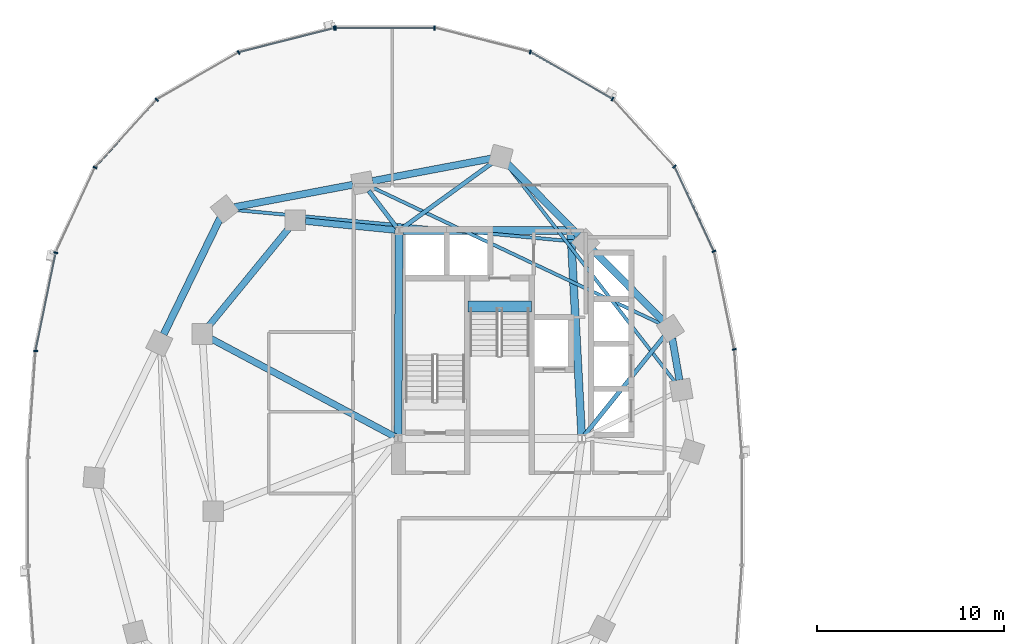
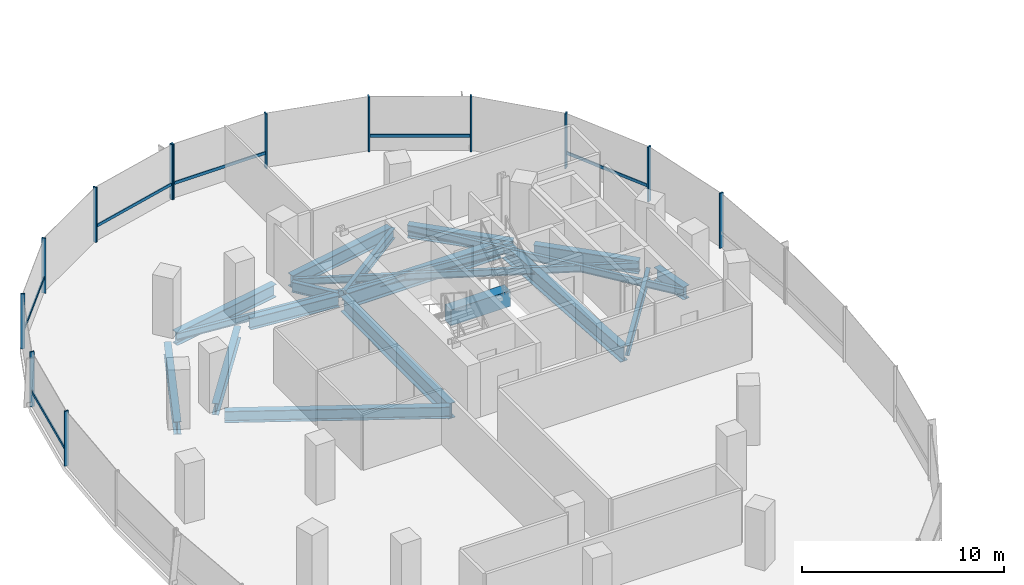
# One storey, part 4 of 20: 19 beams, 19 members, 2 elements without a shape of their own.
"""IFC4 building model written with IfcOpenShell, lengths in metres."""

from ifc_helpers import new_model, si_unit, direction, frame, origin, origin_2d, place, context, subcontext, project, spatial, rectangle, i_section, extrude, material, material_profile, profile_set, type_object, element, aggregate, save


model = new_model("IFC4")

# Units and contexts
model_context = context("Model", 3, precision=1e-05, world=origin(), true_north=direction((0.0, 1.0)))
body_context = subcontext(model_context, "Body", "Model", "MODEL_VIEW")
ifc_project = project(units=[si_unit("LENGTHUNIT", "METRE"), si_unit("AREAUNIT", "SQUARE_METRE"), si_unit("VOLUMEUNIT", "CUBIC_METRE"), si_unit("PLANEANGLEUNIT", "RADIAN"), si_unit("MASSUNIT", "GRAM", prefix="KILO"), si_unit("THERMODYNAMICTEMPERATUREUNIT", "KELVIN"), si_unit("POWERUNIT", "WATT")], contexts=[model_context])

# Site, building, storey
site_placement = place(None, origin())
site = spatial("IfcSite", under=ifc_project, at=site_placement, CompositionType="ELEMENT")
building_placement = place(site_placement, origin())
building = spatial("IfcBuilding", under=site, at=building_placement, Name="Cundina Bronze Exchange", CompositionType="ELEMENT")
storey_placement = place(building_placement, frame((0.0, 0.0, 128.60009765625)))
storey = spatial("IfcBuildingStorey", under=building, at=storey_placement, Name="L33", CompositionType="ELEMENT", Elevation=128.60009765625)

# Beams
ifc_material_1 = material(Name="Concrete C60/75", Category="concrete")
ifc_material_profile_1 = material_profile(ifc_material_1, rectangle(XDim=0.60009765625, YDim=0.949951171875, at=origin_2d()), Name="RC600X950", Category="concrete")
ifc_profile_set_1 = profile_set([ifc_material_profile_1], Name="Concrete C60/75")
beam_type_1 = type_object("IfcBeamType", Name="BM-COUP-RC950", PredefinedType="LINTEL", material=ifc_profile_set_1)
beam_1_placement = place(storey_placement, frame((-27.56005859375, 10.97998046875, -0.47509765625), z_axis=(1.0, 0.0, 0.0), x_axis=(0.0, 1.0, 0.0)))
element("IfcBeam", 1, at=beam_1_placement, inside=storey, type_object=beam_type_1, Name="L33 Stair W2 Landing Header Beam", PredefinedType="LINTEL", context=body_context, shape_type="SweptSolid", body=[
    extrude(rectangle(XDim=0.60009765625, YDim=0.949951171875, at=origin_2d()), origin(), (0.0, 0.0, 1.0), 3.400146484375),
])
ifc_material_2 = material(Name="Steel ASTM A992 Grade 50", Category="steel")
ifc_material_profile_2 = material_profile(ifc_material_2, i_section(OverallWidth=0.22998046875, OverallDepth=0.616943359375, WebThickness=0.01318359375, FlangeThickness=0.022216796875, FilletRadius=0.013916015625, at=origin_2d()), Name="W24X94", Category="steel")
ifc_profile_set_2 = profile_set([ifc_material_profile_2], Name="Steel ASTM A992 Grade 50")
beam_type_2 = type_object("IfcBeamType", Name="BM-FLR-W24B", PredefinedType="BEAM", material=ifc_profile_set_2)
beam_2_placement = place(storey_placement, frame((-21.322021484375, 4.058837890625, -0.608642578125), z_axis=(0.627106187843, 0.778933777139, 0.0), x_axis=(-0.778933777139, 0.627106187843, 0.0)))
element("IfcBeam", 2, at=beam_2_placement, inside=storey, type_object=beam_type_2, Name="L33 Leg W Radial Floor Beam 02", PredefinedType="BEAM", context=body_context, shape_type="SweptSolid", body=[
    extrude(i_section(OverallWidth=0.22998046875, OverallDepth=0.616943359375, WebThickness=0.01318359375, FlangeThickness=0.022216796875, FilletRadius=0.013916015625, at=origin_2d()), origin(), (0.0, 0.0, 1.0), 6.83251953125),
])
beam_3_placement = place(storey_placement, frame((-31.084716796875, 15.169677734375, -0.608642578125), z_axis=(0.809686957662, 0.586862020063, 0.0), x_axis=(-0.586862020063, 0.809686957662, 0.0)))
element("IfcBeam", 3, at=beam_3_placement, inside=storey, type_object=beam_type_2, Name="L33 Leg W Radial Floor Beam 04", PredefinedType="BEAM", context=body_context, shape_type="SweptSolid", body=[
    extrude(i_section(OverallWidth=0.22998046875, OverallDepth=0.616943359375, WebThickness=0.01318359375, FlangeThickness=0.022216796875, FilletRadius=0.013916015625, at=origin_2d()), origin(), (0.0, 0.0, 1.0), 5.98876953125),
])
beam_4_placement = place(storey_placement, frame((-31.373779296875, 15.2119140625, -0.608642578125), z_axis=(-0.607490490457, 0.79432695032, 0.0), x_axis=(-0.79432695032, -0.607490490457, 0.0)))
element("IfcBeam", 4, at=beam_4_placement, inside=storey, type_object=beam_type_2, Name="L33 Leg W Radial Floor Beam 05", PredefinedType="BEAM", context=body_context, shape_type="SweptSolid", body=[
    extrude(i_section(OverallWidth=0.22998046875, OverallDepth=0.616943359375, WebThickness=0.01318359375, FlangeThickness=0.022216796875, FilletRadius=0.013916015625, at=origin_2d()), origin(), (0.0, 0.0, 1.0), 2.46826171875),
])
ifc_material_profile_3 = material_profile(ifc_material_2, i_section(OverallWidth=0.178955078125, OverallDepth=0.409912109375, WebThickness=0.0087890625, FlangeThickness=0.014404296875, FilletRadius=0.010986328125, at=origin_2d()), Name="W16X45", Category="steel")
ifc_profile_set_3 = profile_set([ifc_material_profile_3], Name="Steel ASTM A992 Grade 50")
beam_type_3 = type_object("IfcBeamType", Name="BM-JST-W16", PredefinedType="JOIST", material=ifc_profile_set_3)
beam_5_placement = place(storey_placement, frame((-16.454345703125, 6.92529296875, -0.505126953125), z_axis=(-0.612065218806, 0.790807288742, 0.0), x_axis=(-0.790807288742, -0.612065218806, 0.0)))
element("IfcBeam", 5, at=beam_5_placement, inside=storey, type_object=beam_type_3, Name="L33 Leg W Lobe Floor Joist 01-04", PredefinedType="JOIST", context=body_context, shape_type="SweptSolid", body=[
    extrude(i_section(OverallWidth=0.178955078125, OverallDepth=0.409912109375, WebThickness=0.0087890625, FlangeThickness=0.014404296875, FilletRadius=0.010986328125, at=origin_2d()), origin(), (0.0, 0.0, 1.0), 14.73095703125),
])
beam_6_placement = place(storey_placement, frame((-17.186279296875, 10.02978515625, -0.505126953125), z_axis=(-0.904069270633, 0.427385954259, 0.0), x_axis=(-0.427385954259, -0.904069270633, 0.0)))
element("IfcBeam", 6, at=beam_6_placement, inside=storey, type_object=beam_type_3, Name="L33 Leg W Lobe Floor Joist 02-05", PredefinedType="JOIST", context=body_context, shape_type="SweptSolid", body=[
    extrude(i_section(OverallWidth=0.178955078125, OverallDepth=0.409912109375, WebThickness=0.0087890625, FlangeThickness=0.014404296875, FilletRadius=0.010986328125, at=origin_2d()), origin(), (0.0, 0.0, 1.0), 17.175048828125),
])
beam_7_placement = place(storey_placement, frame((-21.78564453125, 14.44970703125, -0.505126953125), z_axis=(-0.995700674022, 0.092629194921, 0.0), x_axis=(-0.092629194921, -0.995700674022, 0.0)))
element("IfcBeam", 7, at=beam_7_placement, inside=storey, type_object=beam_type_3, Name="L33 Leg W Lobe Floor Joist 03-06", PredefinedType="JOIST", context=body_context, shape_type="SweptSolid", body=[
    extrude(i_section(OverallWidth=0.178955078125, OverallDepth=0.409912109375, WebThickness=0.0087890625, FlangeThickness=0.014404296875, FilletRadius=0.010986328125, at=origin_2d()), origin(), (0.0, 0.0, 1.0), 18.357421875),
])
ifc_material_profile_4 = material_profile(ifc_material_2, i_section(OverallWidth=0.35498046875, OverallDepth=0.695068359375, WebThickness=0.015380859375, FlangeThickness=0.02490234375, FilletRadius=0.01806640625, at=origin_2d()), Name="W27X146", Category="steel")
ifc_profile_set_4 = profile_set([ifc_material_profile_4], Name="Steel ASTM A992 Grade 50")
beam_type_4 = type_object("IfcBeamType", Name="BM-RING-W27", PredefinedType="USERDEFINED", material=ifc_profile_set_4)
beam_8_placement = place(storey_placement, frame((-31.452880859375, 15.070068359375, -0.647705078125), z_axis=(-0.995126271817, 0.098608839051, 0.0), x_axis=(-0.098608839051, -0.995126271817, 0.0)))
element("IfcBeam", 8, at=beam_8_placement, inside=storey, type_object=beam_type_4, Name="L33 W Inner Structural Ring Girder 01", ObjectType="GIRDER", PredefinedType="USERDEFINED", context=body_context, shape_type="SweptSolid", body=[
    extrude(i_section(OverallWidth=0.35498046875, OverallDepth=0.695068359375, WebThickness=0.015380859375, FlangeThickness=0.02490234375, FilletRadius=0.01806640625, at=origin_2d()), origin(), (0.0, 0.0, 1.0), 4.83544921875),
])
beam_9_placement = place(storey_placement, frame((-37.14111328125, 15.183837890625, -0.647705078125), z_axis=(-0.633926549035, -0.773393257295, 0.0), x_axis=(0.773393257295, -0.633926549035, 0.0)))
element("IfcBeam", 9, at=beam_9_placement, inside=storey, type_object=beam_type_4, Name="L33 W Inner Structural Ring Girder 02", ObjectType="GIRDER", PredefinedType="USERDEFINED", context=body_context, shape_type="SweptSolid", body=[
    extrude(i_section(OverallWidth=0.35498046875, OverallDepth=0.695068359375, WebThickness=0.015380859375, FlangeThickness=0.02490234375, FilletRadius=0.01806640625, at=origin_2d()), origin(), (0.0, 0.0, 1.0), 6.811279296875),
])
beam_10_placement = place(storey_placement, frame((-31.47998046875, 3.99609375, -0.647705078125), z_axis=(-0.882354758239, 0.470584828286, 0.0), x_axis=(-0.470584828286, -0.882354758239, 0.0)))
element("IfcBeam", 10, at=beam_10_placement, inside=storey, type_object=beam_type_4, Name="L33 W Core-to-Waist Tie Beam 2", ObjectType="GIRDER", PredefinedType="USERDEFINED", context=body_context, shape_type="SweptSolid", body=[
    extrude(i_section(OverallWidth=0.35498046875, OverallDepth=0.695068359375, WebThickness=0.015380859375, FlangeThickness=0.02490234375, FilletRadius=0.01806640625, at=origin_2d()), origin(), (0.0, 0.0, 1.0), 11.157958984375),
])
ifc_material_profile_5 = material_profile(ifc_material_2, i_section(OverallWidth=0.381103515625, OverallDepth=0.77294921875, WebThickness=0.0166015625, FlangeThickness=0.027099609375, FilletRadius=0.01904296875, at=origin_2d()), Name="W30X173", Category="steel")
ifc_profile_set_5 = profile_set([ifc_material_profile_5], Name="Steel ASTM A992 Grade 50")
beam_type_5 = type_object("IfcBeamType", Name="BM-RING-W30", PredefinedType="USERDEFINED", material=ifc_profile_set_5)
beam_11_placement = place(storey_placement, frame((-16.21728515625, 7.030029296875, -0.6865234375), z_axis=(-0.171690078326, 0.985151012284, 0.0), x_axis=(-0.985151012284, -0.171690078326, 0.0)))
element("IfcBeam", 11, at=beam_11_placement, inside=storey, type_object=beam_type_5, Name="L33 W Perimeter Ring Girder 01", ObjectType="GIRDER", PredefinedType="USERDEFINED", context=body_context, shape_type="SweptSolid", body=[
    extrude(i_section(OverallWidth=0.381103515625, OverallDepth=0.77294921875, WebThickness=0.0166015625, FlangeThickness=0.027099609375, FilletRadius=0.01904296875, at=origin_2d()), origin(), (0.0, 0.0, 1.0), 2.273681640625),
])
for number, where, z_axis, x_axis, name in (
    (12, (-17.078369140625, 10.1826171875, -0.6865234375), (-0.703226342126, 0.7109660412, 0.0), (-0.7109660412, -0.703226342126, 0.0), "L33 W Perimeter Ring Girder 02"),
    (13, (-21.62841796875, 14.782470703125, -0.6865234375), (-0.703226342126, 0.7109660412, 0.0), (-0.7109660412, -0.703226342126, 0.0), "L33 W Perimeter Ring Girder 03"),
):
    element("IfcBeam", number, at=place(storey_placement, frame(where, z_axis=z_axis, x_axis=x_axis)), inside=storey, type_object=beam_type_5, Name=name, ObjectType="GIRDER", PredefinedType="USERDEFINED", context=body_context, shape_type="SweptSolid", body=[
        extrude(i_section(OverallWidth=0.381103515625, OverallDepth=0.77294921875, WebThickness=0.0166015625, FlangeThickness=0.027099609375, FilletRadius=0.01904296875, at=origin_2d()), origin(), (0.0, 0.0, 1.0), 5.39404296875),
    ])
for number, where, z_axis, x_axis, name in (
    (14, (-26.32861328125, 18.89990234375, -0.6865234375), (-0.98257117919, -0.185886733861, 0.0), (0.185886733861, -0.98257117919, 0.0), "L33 W Perimeter Ring Girder 04"),
    (15, (-33.728515625, 17.5, -0.6865234375), (-0.98257117919, -0.185886733861, 0.0), (0.185886733861, -0.98257117919, 0.0), "L33 W Perimeter Ring Girder 05"),
):
    element("IfcBeam", number, at=place(storey_placement, frame(where, z_axis=z_axis, x_axis=x_axis)), inside=storey, type_object=beam_type_5, Name=name, ObjectType="GIRDER", PredefinedType="USERDEFINED", context=body_context, shape_type="SweptSolid", body=[
        extrude(i_section(OverallWidth=0.381103515625, OverallDepth=0.77294921875, WebThickness=0.0166015625, FlangeThickness=0.027099609375, FilletRadius=0.01904296875, at=origin_2d()), origin(), (0.0, 0.0, 1.0), 6.455322265625),
    ])
beam_12_placement = place(storey_placement, frame((-40.835205078125, 15.716064453125, -0.6865234375), z_axis=(-0.437193894283, -0.899367276924, 0.0), x_axis=(0.899367276924, -0.437193894283, 0.0)))
element("IfcBeam", 16, at=beam_12_placement, inside=storey, type_object=beam_type_5, Name="L33 W Perimeter Ring Girder 06", ObjectType="GIRDER", PredefinedType="USERDEFINED", context=body_context, shape_type="SweptSolid", body=[
    extrude(i_section(OverallWidth=0.381103515625, OverallDepth=0.77294921875, WebThickness=0.0166015625, FlangeThickness=0.027099609375, FilletRadius=0.01904296875, at=origin_2d()), origin(), (0.0, 0.0, 1.0), 6.929443359375),
])
ifc_material_profile_6 = material_profile(ifc_material_2, i_section(OverallWidth=0.41796875, OverallDepth=0.927001953125, WebThickness=0.019287109375, FlangeThickness=0.031982421875, FilletRadius=0.02392578125, at=origin_2d()), Name="W36X231", Category="steel")
ifc_profile_set_6 = profile_set([ifc_material_profile_6], Name="Steel ASTM A992 Grade 50")
beam_type_6 = type_object("IfcBeamType", Name="BM-WRN-W36B", PredefinedType="USERDEFINED", material=ifc_profile_set_6)
beam_13_placement = place(storey_placement, frame((-21.4609375, 4.103759765625, -0.763671875), z_axis=(-0.053739193498, 0.998555005537, 0.0), x_axis=(-0.998555005537, -0.053739193498, 0.0)))
element("IfcBeam", 17, at=beam_13_placement, inside=storey, type_object=beam_type_6, Name="L33 W Core Perimeter Tie Girder 2", ObjectType="GIRDER", PredefinedType="USERDEFINED", context=body_context, shape_type="SweptSolid", body=[
    extrude(i_section(OverallWidth=0.41796875, OverallDepth=0.927001953125, WebThickness=0.019287109375, FlangeThickness=0.031982421875, FilletRadius=0.02392578125, at=origin_2d()), origin(), (0.0, 0.0, 1.0), 10.758056640625),
])
beam_14_placement = place(storey_placement, frame((-22.25390625, 15.050048828125, -0.763671875), z_axis=(-1.0, 0.0, 0.0), x_axis=(0.0, -1.0, 0.0)))
element("IfcBeam", 18, at=beam_14_placement, inside=storey, type_object=beam_type_6, Name="L33 W Core Perimeter Tie Girder 3", ObjectType="GIRDER", PredefinedType="USERDEFINED", context=body_context, shape_type="SweptSolid", body=[
    extrude(i_section(OverallWidth=0.41796875, OverallDepth=0.927001953125, WebThickness=0.019287109375, FlangeThickness=0.031982421875, FilletRadius=0.02392578125, at=origin_2d()), origin(), (0.0, 0.0, 1.0), 8.7919921875),
])
beam_15_placement = place(storey_placement, frame((-31.2509765625, 14.845947265625, -0.763671875), z_axis=(-0.004477329608, -0.99998997671, 0.0), x_axis=(0.99998997671, -0.004477329608, 0.0)))
element("IfcBeam", 19, at=beam_15_placement, inside=storey, type_object=beam_type_6, Name="L33 W Core Perimeter Tie Girder 4", ObjectType="GIRDER", PredefinedType="USERDEFINED", context=body_context, shape_type="SweptSolid", body=[
    extrude(i_section(OverallWidth=0.41796875, OverallDepth=0.927001953125, WebThickness=0.019287109375, FlangeThickness=0.031982421875, FilletRadius=0.02392578125, at=origin_2d()), origin(), (0.0, 0.0, 1.0), 10.741943359375),
])

# Curtain wall, members
ifc_material_3 = material(Name="Anodised Bronze Aluminium 6063-T6", Category="aluminium")
curtain_wall_type = type_object("IfcCurtainWallType", Name="CWS-TRD-MID", PredefinedType="NOTDEFINED", material=ifc_material_3)
curtain_wall_1_placement = place(storey_placement, origin())
curtain_wall_1 = element("IfcCurtainWall", 20, at=curtain_wall_1_placement, inside=storey, type_object=curtain_wall_type, Name="L33 CW-03 Curtain Wall Run CWR-L33-W1", PredefinedType="NOTDEFINED")
ifc_material_profile_7 = material_profile(ifc_material_3, rectangle(XDim=0.074951171875, YDim=0.219970703125, at=origin_2d()), Name="AL75X220", Category="aluminium")
ifc_profile_set_7 = profile_set([ifc_material_profile_7], Name="Anodised Bronze Aluminium 6063-T6")
member_type_1 = type_object("IfcMemberType", Name="CWM-MUL-220", PredefinedType="MULLION", material=ifc_profile_set_7)
member_1_placement = place(storey_placement, frame((-13.282958984375, 8.67822265625, 0.0), z_axis=(0.0, 0.0, 1.0), x_axis=(-0.201419845156, 0.979505000486, 0.0)))
member_1 = element("IfcMember", 21, at=member_1_placement, type_object=member_type_1, Name="CW-03 Mullion 2", PredefinedType="MULLION", context=body_context, shape_type="SweptSolid", body=[
    extrude(rectangle(XDim=0.074951171875, YDim=0.219970703125, at=origin_2d()), origin(), (0.0, 0.0, 1.0), 3.31982421875),
])
member_2_placement = place(storey_placement, frame((-14.3720703125, 13.931884765625, 0.0), z_axis=(0.0, 0.0, 1.0), x_axis=(-0.42087749791, 0.907117485088, 0.0)))
member_2 = element("IfcMember", 22, at=member_2_placement, type_object=member_type_1, Name="CW-03 Mullion 3", PredefinedType="MULLION", context=body_context, shape_type="SweptSolid", body=[
    extrude(rectangle(XDim=0.074951171875, YDim=0.219970703125, at=origin_2d()), origin(), (0.0, 0.0, 1.0), 3.31982421875),
])
member_3_placement = place(storey_placement, frame((-16.491455078125, 18.47705078125, 0.0), z_axis=(0.0, 0.0, 1.0), x_axis=(-0.674302387584, 0.738455340626, 0.0)))
member_3 = element("IfcMember", 23, at=member_3_placement, type_object=member_type_1, Name="CW-03 Mullion 4", PredefinedType="MULLION", context=body_context, shape_type="SweptSolid", body=[
    extrude(rectangle(XDim=0.074951171875, YDim=0.219970703125, at=origin_2d()), origin(), (0.0, 0.0, 1.0), 3.31982421875),
])
member_4_placement = place(storey_placement, frame((-19.810302734375, 22.097412109375, 0.0), z_axis=(0.0, 0.0, 1.0), x_axis=(-0.867070701164, 0.498185105339, 0.0)))
member_4 = element("IfcMember", 24, at=member_4_placement, type_object=member_type_1, Name="CW-03 Mullion 5", PredefinedType="MULLION", context=body_context, shape_type="SweptSolid", body=[
    extrude(rectangle(XDim=0.074951171875, YDim=0.219970703125, at=origin_2d()), origin(), (0.0, 0.0, 1.0), 3.31982421875),
])
member_5_placement = place(storey_placement, frame((-24.21484375, 24.61669921875, 0.0), z_axis=(0.0, 0.0, 1.0), x_axis=(-0.969488149345, 0.245138182011, 0.0)))
member_5 = element("IfcMember", 25, at=member_5_placement, type_object=member_type_1, Name="CW-03 Mullion 6", PredefinedType="MULLION", context=body_context, shape_type="SweptSolid", body=[
    extrude(rectangle(XDim=0.074951171875, YDim=0.219970703125, at=origin_2d()), origin(), (0.0, 0.0, 1.0), 3.31982421875),
])
member_6_placement = place(storey_placement, frame((-29.345458984375, 25.905029296875, 0.0), z_axis=(0.0, 0.0, 1.0), x_axis=(-1.0, 0.0, 0.0)))
member_6 = element("IfcMember", 26, at=member_6_placement, type_object=member_type_1, Name="CW-03 Mullion 7", PredefinedType="MULLION", context=body_context, shape_type="SweptSolid", body=[
    extrude(rectangle(XDim=0.074951171875, YDim=0.219970703125, at=origin_2d()), origin(), (0.0, 0.0, 1.0), 3.31982421875),
])
member_7_placement = place(storey_placement, frame((-34.654541015625, 25.905029296875, 0.0), z_axis=(0.0, 0.0, 1.0), x_axis=(-1.0, 0.0, 0.0)))
member_7 = element("IfcMember", 27, at=member_7_placement, type_object=member_type_1, Name="CW-03 End Mullion", PredefinedType="MULLION", context=body_context, shape_type="SweptSolid", body=[
    extrude(rectangle(XDim=0.074951171875, YDim=0.219970703125, at=origin_2d()), origin(), (0.0, 0.0, 1.0), 3.31982421875),
])

curtain_wall_2_placement = place(storey_placement, origin())
curtain_wall_2 = element("IfcCurtainWall", 28, at=curtain_wall_2_placement, inside=storey, type_object=curtain_wall_type, Name="L33 CW-03 Curtain Wall Run CWR-L33-W2", PredefinedType="NOTDEFINED")
member_8_placement = place(storey_placement, frame((-34.72607421875, 25.89599609375, 0.0), z_axis=(0.0, 0.0, 1.0), x_axis=(-0.969488149345, -0.245138182011, 0.0)))
member_8 = element("IfcMember", 29, at=member_8_placement, type_object=member_type_1, Name="CW-03 Mullion 1", PredefinedType="MULLION", context=body_context, shape_type="SweptSolid", body=[
    extrude(rectangle(XDim=0.074951171875, YDim=0.219970703125, at=origin_2d()), origin(), (0.0, 0.0, 1.0), 3.31982421875),
])
member_9_placement = place(storey_placement, frame((-39.848876953125, 24.591064453125, 0.0), z_axis=(0.0, 0.0, 1.0), x_axis=(-0.867070701164, -0.498185105339, 0.0)))
member_9 = element("IfcMember", 30, at=member_9_placement, type_object=member_type_1, Name="CW-03 Mullion 2", PredefinedType="MULLION", context=body_context, shape_type="SweptSolid", body=[
    extrude(rectangle(XDim=0.074951171875, YDim=0.219970703125, at=origin_2d()), origin(), (0.0, 0.0, 1.0), 3.31982421875),
])
member_10_placement = place(storey_placement, frame((-44.239501953125, 22.0576171875, 0.0), z_axis=(0.0, 0.0, 1.0), x_axis=(-0.674302387584, -0.738455340626, 0.0)))
member_10 = element("IfcMember", 31, at=member_10_placement, type_object=member_type_1, Name="CW-03 Mullion 3", PredefinedType="MULLION", context=body_context, shape_type="SweptSolid", body=[
    extrude(rectangle(XDim=0.074951171875, YDim=0.219970703125, at=origin_2d()), origin(), (0.0, 0.0, 1.0), 3.31982421875),
])
member_11_placement = place(storey_placement, frame((-47.544189453125, 18.423583984375, 0.0), z_axis=(0.0, 0.0, 1.0), x_axis=(-0.42087749791, -0.907117485088, 0.0)))
member_11 = element("IfcMember", 32, at=member_11_placement, type_object=member_type_1, Name="CW-03 Mullion 4", PredefinedType="MULLION", context=body_context, shape_type="SweptSolid", body=[
    extrude(rectangle(XDim=0.074951171875, YDim=0.219970703125, at=origin_2d()), origin(), (0.0, 0.0, 1.0), 3.31982421875),
])
member_12_placement = place(storey_placement, frame((-49.651123046875, 13.861328125, 0.0), z_axis=(0.0, 0.0, 1.0), x_axis=(-0.201419845156, -0.979505000486, 0.0)))
member_12 = element("IfcMember", 33, at=member_12_placement, type_object=member_type_1, Name="CW-03 Mullion 5", PredefinedType="MULLION", context=body_context, shape_type="SweptSolid", body=[
    extrude(rectangle(XDim=0.074951171875, YDim=0.219970703125, at=origin_2d()), origin(), (0.0, 0.0, 1.0), 3.31982421875),
])
member_13_placement = place(storey_placement, frame((-50.72900390625, 8.591552734375, 0.0), z_axis=(0.0, 0.0, 1.0), x_axis=(-0.070278787473, -0.997527389113, 0.0)))
member_13 = element("IfcMember", 34, at=member_13_placement, type_object=member_type_1, Name="CW-03 Mullion 6", PredefinedType="MULLION", context=body_context, shape_type="SweptSolid", body=[
    extrude(rectangle(XDim=0.074951171875, YDim=0.219970703125, at=origin_2d()), origin(), (0.0, 0.0, 1.0), 3.31982421875),
])

# Member
ifc_material_profile_8 = material_profile(ifc_material_3, rectangle(XDim=0.070068359375, YDim=0.179931640625, at=origin_2d()), Name="AL70X180", Category="aluminium")
ifc_profile_set_8 = profile_set([ifc_material_profile_8], Name="Anodised Bronze Aluminium 6063-T6")
member_type_2 = type_object("IfcMemberType", Name="CWM-TRN-180", PredefinedType="USERDEFINED", material=ifc_profile_set_8)
member_14_placement = place(storey_placement, frame((-14.389404296875, 13.96923828125, 0.919921875), z_axis=(-0.420811422796, 0.907148139195, 0.0), x_axis=(-0.907148139195, -0.420811422796, 0.0)))
member_14 = element("IfcMember", 35, at=member_14_placement, type_object=member_type_2, Name="CW-03 Spandrel Transom 3", ObjectType="TRANSOM", PredefinedType="USERDEFINED", context=body_context, shape_type="SweptSolid", body=[
    extrude(rectangle(XDim=0.070068359375, YDim=0.179931640625, at=origin_2d()), origin(), (0.0, 0.0, 1.0), 4.95166015625),
])

member_15_placement = place(storey_placement, frame((-19.845947265625, 22.117919921875, 0.919921875), z_axis=(-0.867097475651, 0.498138502546, 0.0), x_axis=(-0.498138502546, -0.867097475651, 0.0)))
member_15 = element("IfcMember", 36, at=member_15_placement, type_object=member_type_2, Name="CW-03 Spandrel Transom 5", ObjectType="TRANSOM", PredefinedType="USERDEFINED", context=body_context, shape_type="SweptSolid", body=[
    extrude(rectangle(XDim=0.070068359375, YDim=0.179931640625, at=origin_2d()), origin(), (0.0, 0.0, 1.0), 5.00634765625),
])

member_16_placement = place(storey_placement, frame((-29.38671875, 25.905029296875, 0.919921875), z_axis=(-1.0, 0.0, 0.0), x_axis=(0.0, -1.0, 0.0)))
member_16 = element("IfcMember", 37, at=member_16_placement, type_object=member_type_2, Name="CW-03 Spandrel Transom 7", ObjectType="TRANSOM", PredefinedType="USERDEFINED", context=body_context, shape_type="SweptSolid", body=[
    extrude(rectangle(XDim=0.070068359375, YDim=0.179931640625, at=origin_2d()), origin(), (0.0, 0.0, 1.0), 5.2265625),
])

aggregate(curtain_wall_1, [member_1, member_2, member_14, member_3, member_4, member_15, member_5, member_6, member_7, member_16])

member_17_placement = place(storey_placement, frame((-34.76611328125, 25.885986328125, 0.919921875), z_axis=(-0.969483968866, -0.245154714644, 0.0), x_axis=(0.245154714644, -0.969483968866, 0.0)))
member_17 = element("IfcMember", 38, at=member_17_placement, type_object=member_type_2, Name="CW-03 Spandrel Transom 1", ObjectType="TRANSOM", PredefinedType="USERDEFINED", context=body_context, shape_type="SweptSolid", body=[
    extrude(rectangle(XDim=0.070068359375, YDim=0.179931640625, at=origin_2d()), origin(), (0.0, 0.0, 1.0), 5.21826171875),
])

member_18_placement = place(storey_placement, frame((-44.26708984375, 22.027099609375, 0.919921875), z_axis=(-0.674302794847, -0.738454968743, 0.0), x_axis=(0.738454968743, -0.674302794847, 0.0)))
member_18 = element("IfcMember", 39, at=member_18_placement, type_object=member_type_2, Name="CW-03 Spandrel Transom 3", ObjectType="TRANSOM", PredefinedType="USERDEFINED", context=body_context, shape_type="SweptSolid", body=[
    extrude(rectangle(XDim=0.070068359375, YDim=0.179931640625, at=origin_2d()), origin(), (0.0, 0.0, 1.0), 4.848388671875),
])

member_19_placement = place(storey_placement, frame((-49.659423828125, 13.821044921875, 0.919921875), z_axis=(-0.201427712708, -0.979503382615, 0.0), x_axis=(0.979503382615, -0.201427712708, 0.0)))
member_19 = element("IfcMember", 40, at=member_19_placement, type_object=member_type_2, Name="CW-03 Spandrel Transom 5", ObjectType="TRANSOM", PredefinedType="USERDEFINED", context=body_context, shape_type="SweptSolid", body=[
    extrude(rectangle(XDim=0.070068359375, YDim=0.179931640625, at=origin_2d()), origin(), (0.0, 0.0, 1.0), 5.291748046875),
])

aggregate(curtain_wall_2, [member_8, member_17, member_9, member_10, member_18, member_11, member_12, member_19, member_13])

save(model, "model.ifc")
